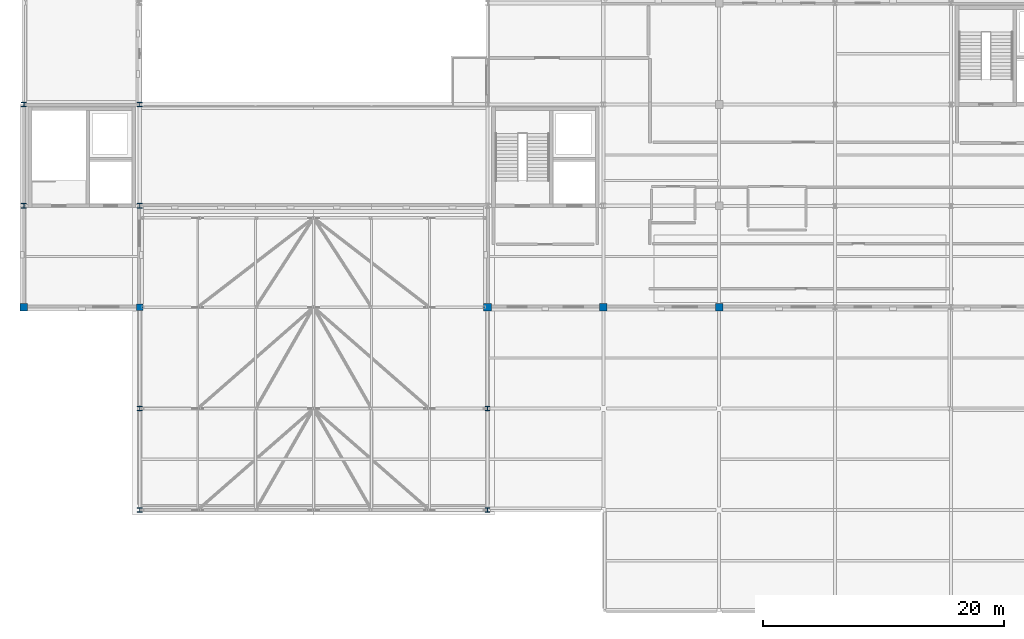
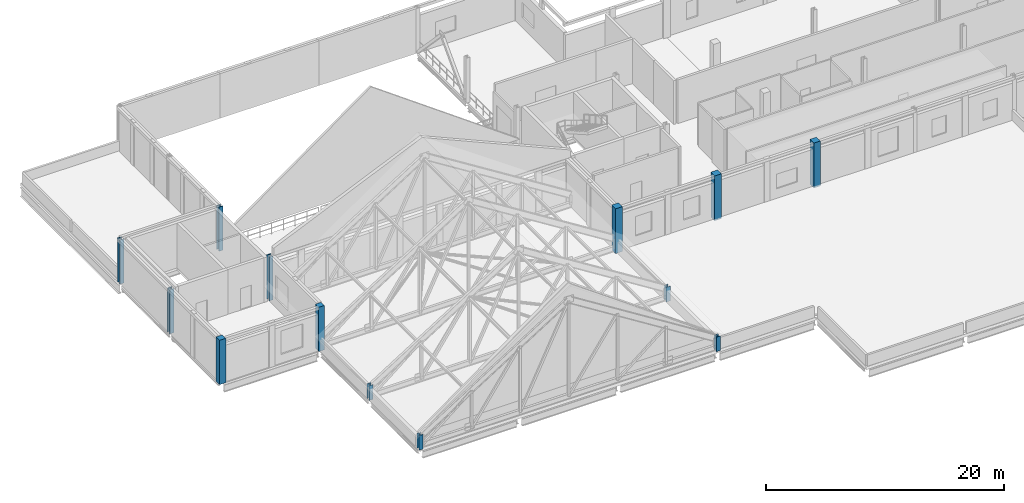
# One storey, part 1 of 26: 13 columns.
"""IFC4 building model written with IfcOpenShell, lengths in metres."""

from ifc_helpers import new_model, si_unit, direction, frame, origin, origin_2d, place, context, subcontext, project, spatial, rectangle, i_section, extrude, material, material_profile, profile_set, type_object, element, save


model = new_model("IFC4")

# Units and contexts
model_context = context("Model", 3, precision=1e-05, world=origin(), true_north=direction((0.0, 1.0)))
body_context = subcontext(model_context, "Body", "Model", "MODEL_VIEW")
ifc_project = project(units=[si_unit("LENGTHUNIT", "METRE"), si_unit("AREAUNIT", "SQUARE_METRE"), si_unit("VOLUMEUNIT", "CUBIC_METRE"), si_unit("PLANEANGLEUNIT", "RADIAN"), si_unit("MASSUNIT", "GRAM", prefix="KILO")], contexts=[model_context])

# Site, building, storey
site_placement = place(None, origin())
site = spatial("IfcSite", under=ifc_project, at=site_placement, CompositionType="ELEMENT")
building_placement = place(site_placement, origin())
building = spatial("IfcBuilding", under=site, at=building_placement, Name="Lornevale Opera House", CompositionType="ELEMENT")
storey_placement = place(building_placement, frame((0.0, 0.0, 19.800048828125)))
storey = spatial("IfcBuildingStorey", under=building, at=storey_placement, Name="L05", CompositionType="ELEMENT", Elevation=19.800048828125)

# Columns
ifc_material_1 = material(Name="Concrete 35 MPa (CSA A23.1 N)", Category="concrete")
ifc_material_profile_1 = material_profile(ifc_material_1, rectangle(XDim=0.550048828125, YDim=0.550048828125, at=origin_2d()), Name="RC550x550")
ifc_profile_set_1 = profile_set([ifc_material_profile_1], Name="Concrete 35 MPa (CSA A23.1 N)")
column_type_1 = type_object("IfcColumnType", Name="Concrete Column 550x550", PredefinedType="COLUMN", material=ifc_profile_set_1)
column_1_placement = place(storey_placement, frame((67.199951171875, 50.39990234375, 0.0), z_axis=(0.0, 0.0, 1.0), x_axis=(1.0, 0.0, 0.0)))
element("IfcColumn", 1, at=column_1_placement, inside=storey, type_object=column_type_1, Name="Concrete Column 550x550 0450", PredefinedType="COLUMN", context=body_context, shape_type="SweptSolid", body=[
    extrude(rectangle(XDim=0.550048828125, YDim=0.550048828125, at=origin_2d()), origin(), (0.0, 0.0, 1.0), 4.530029296875),
])
ifc_material_profile_2 = material_profile(ifc_material_1, rectangle(XDim=0.60009765625, YDim=0.60009765625, at=origin_2d()), Name="RC600x600")
ifc_profile_set_2 = profile_set([ifc_material_profile_2], Name="Concrete 35 MPa (CSA A23.1 N)")
column_type_2 = type_object("IfcColumnType", Name="Concrete Column 600x600", PredefinedType="COLUMN", material=ifc_profile_set_2)
column_2_placement = place(storey_placement, frame((57.60009765625, 50.39990234375, 0.0), z_axis=(0.0, 0.0, 1.0), x_axis=(1.0, 0.0, 0.0)))
element("IfcColumn", 2, at=column_2_placement, inside=storey, type_object=column_type_2, Name="Concrete Column 600x600 0378", PredefinedType="COLUMN", context=body_context, shape_type="SweptSolid", body=[
    extrude(rectangle(XDim=0.60009765625, YDim=0.60009765625, at=origin_2d()), origin(), (0.0, 0.0, 1.0), 4.530029296875),
])
ifc_material_2 = material(Name="Concrete 40 MPa (CSA A23.1 C-1)", Category="concrete")
ifc_material_profile_3 = material_profile(ifc_material_2, rectangle(XDim=0.64990234375, YDim=0.64990234375, at=origin_2d()), Name="RC650x650")
ifc_profile_set_3 = profile_set([ifc_material_profile_3], Name="Concrete 40 MPa (CSA A23.1 C-1)")
column_type_3 = type_object("IfcColumnType", Name="Concrete Column 650x650", PredefinedType="COLUMN", material=ifc_profile_set_3)
for number, where, z_axis, x_axis, name in (
    (3, (96.0, 50.39990234375, 0.0), (0.0, 0.0, 1.0), (1.0, 0.0, 0.0), "Concrete Column 650x650 0631"),
    (4, (105.60009765625, 50.39990234375, 0.0), (0.0, 0.0, 1.0), (1.0, 0.0, 0.0), "Concrete Column 650x650 0712"),
    (5, (115.199951171875, 50.39990234375, 0.0), (0.0, 0.0, 1.0), (1.0, 0.0, 0.0), "Concrete Column 650x650 0787"),
):
    element("IfcColumn", number, at=place(storey_placement, frame(where, z_axis=z_axis, x_axis=x_axis)), inside=storey, type_object=column_type_3, Name=name, PredefinedType="COLUMN", context=body_context, shape_type="SweptSolid", body=[
        extrude(rectangle(XDim=0.64990234375, YDim=0.64990234375, at=origin_2d()), origin(), (0.0, 0.0, 1.0), 4.599853515625),
    ])
ifc_material_3 = material(Name="Structural Steel CSA G40.21 Grade 350W (350 MPa)", Category="steel")
ifc_material_profile_4 = material_profile(ifc_material_3, i_section(OverallWidth=0.39599609375, OverallDepth=0.386962890625, WebThickness=0.02490234375, FlangeThickness=0.0380859375, at=origin_2d()), Name="W360x262")
ifc_profile_set_4 = profile_set([ifc_material_profile_4], Name="Structural Steel CSA G40.21 Grade 350W (350 MPa)")
column_type_4 = type_object("IfcColumnType", Name="Steel Stagehouse Column W360x262", PredefinedType="COLUMN", material=ifc_profile_set_4)
for number, where, z_axis, x_axis, name in (
    (6, (57.60009765625, 58.800048828125, 0.0), (0.0, 0.0, 1.0), (1.0, 0.0, 0.0), "Steel Stagehouse Column W360x262 0385"),
    (7, (57.60009765625, 67.199951171875, 0.0), (0.0, 0.0, 1.0), (1.0, 0.0, 0.0), "Steel Stagehouse Column W360x262 0392"),
    (8, (67.199951171875, 58.800048828125, 0.0), (0.0, 0.0, 1.0), (1.0, 0.0, 0.0), "Steel Stagehouse Column W360x262 0457"),
    (9, (67.199951171875, 67.199951171875, 0.0), (0.0, 0.0, 1.0), (1.0, 0.0, 0.0), "Steel Stagehouse Column W360x262 0465"),
):
    element("IfcColumn", number, at=place(storey_placement, frame(where, z_axis=z_axis, x_axis=x_axis)), inside=storey, type_object=column_type_4, Name=name, PredefinedType="COLUMN", context=body_context, shape_type="SweptSolid", body=[
        extrude(i_section(OverallWidth=0.39599609375, OverallDepth=0.386962890625, WebThickness=0.02490234375, FlangeThickness=0.0380859375, at=origin_2d()), origin(), (0.0, 0.0, 1.0), 4.530029296875),
    ])
for number, where, z_axis, x_axis, name in (
    (10, (67.199951171875, 33.60009765625, 0.0), (0.0, 0.0, 1.0), (1.0, 0.0, 0.0), "Auditorium Drum Truss Column 1110"),
    (11, (67.199951171875, 42.0, 0.0), (0.0, 0.0, 1.0), (1.0, 0.0, 0.0), "Auditorium Drum Truss Column 1111"),
    (12, (96.0, 33.60009765625, 0.0), (0.0, 0.0, 1.0), (1.0, 0.0, 0.0), "Auditorium Drum Truss Column 1112"),
    (13, (96.0, 42.0, 0.0), (0.0, 0.0, 1.0), (1.0, 0.0, 0.0), "Auditorium Drum Truss Column 1113"),
):
    element("IfcColumn", number, at=place(storey_placement, frame(where, z_axis=z_axis, x_axis=x_axis)), inside=storey, type_object=column_type_4, Name=name, PredefinedType="COLUMN", context=body_context, shape_type="SweptSolid", body=[
        extrude(i_section(OverallWidth=0.39599609375, OverallDepth=0.386962890625, WebThickness=0.02490234375, FlangeThickness=0.0380859375, at=origin_2d()), origin(), (0.0, 0.0, 1.0), 1.5),
    ])

save(model, "model.ifc")
